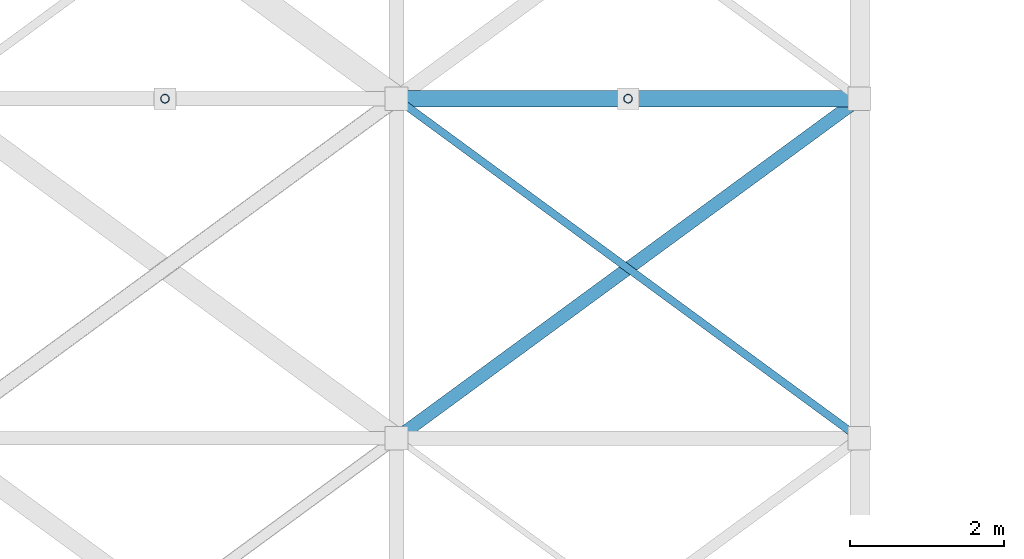
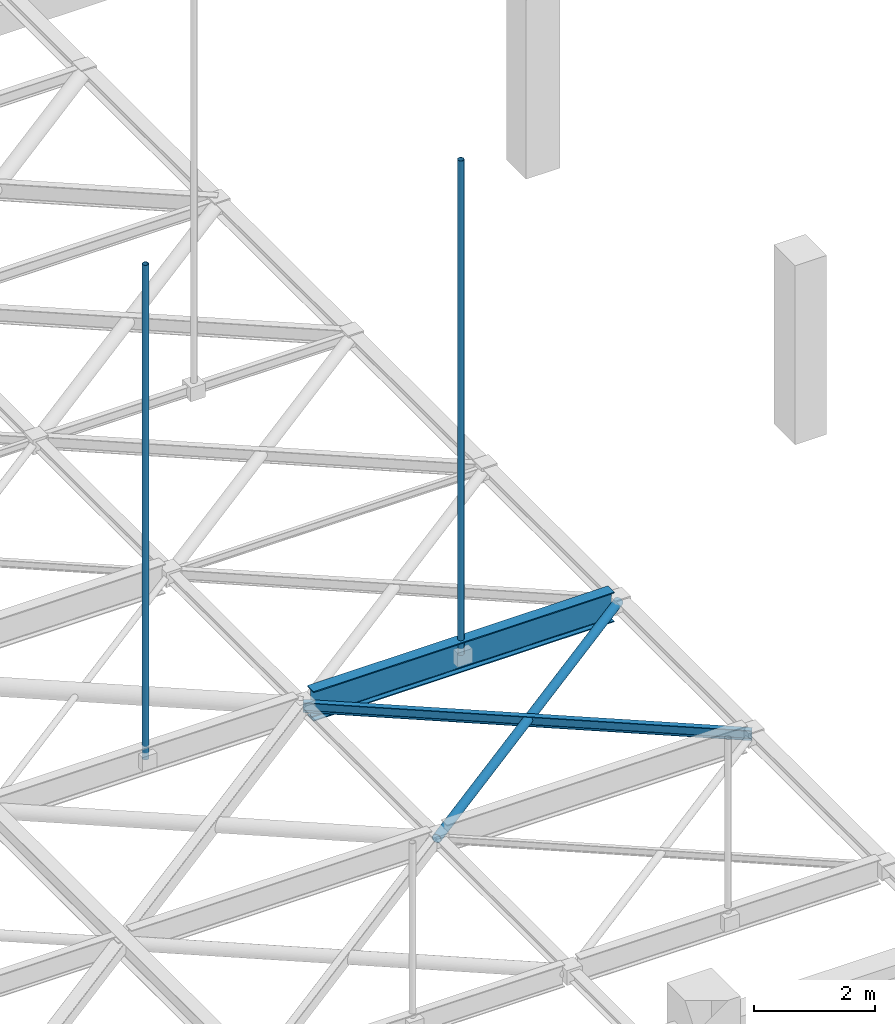
# One storey, part 39 of 93: 4 members, 1 beam.
"""IFC4 building model written with IfcOpenShell, lengths in metres."""

from ifc_helpers import new_model, si_unit, direction, frame, origin, origin_2d, place, context, subcontext, project, spatial, hollow_circle, i_section, extrude, material, material_profile, profile_set, type_object, element, save


model = new_model("IFC4")

# Units and contexts
model_context = context("Model", 3, precision=1e-05, world=origin(), true_north=direction((0.0, 1.0)))
body_context = subcontext(model_context, "Body", "Model", "MODEL_VIEW")
ifc_project = project(units=[si_unit("LENGTHUNIT", "METRE"), si_unit("AREAUNIT", "SQUARE_METRE"), si_unit("VOLUMEUNIT", "CUBIC_METRE"), si_unit("PLANEANGLEUNIT", "RADIAN"), si_unit("MASSUNIT", "GRAM", prefix="KILO")], contexts=[model_context])

# Site, building, storey
site_placement = place(None, origin())
site = spatial("IfcSite", under=ifc_project, at=site_placement, CompositionType="ELEMENT")
building_placement = place(site_placement, origin())
building = spatial("IfcBuilding", under=site, at=building_placement, Name="Varnakota Cinema and Media Centre", CompositionType="ELEMENT")
storey_placement = place(building_placement, frame((0.0, 0.0, 12.0)))
storey = spatial("IfcBuildingStorey", under=building, at=storey_placement, Name="L03", CompositionType="ELEMENT", Elevation=12.0)

# Beam
ifc_material_1 = material(Name="Structural steel Grade 350 (E350)", Category="steel")
ifc_material_profile_1 = material_profile(ifc_material_1, i_section(OverallWidth=0.2099609375, OverallDepth=0.60009765625, WebThickness=0.011962890625, FlangeThickness=0.020751953125, FilletRadius=0.02001953125, at=origin_2d()), Name="ISMB 600")
ifc_profile_set_1 = profile_set([ifc_material_profile_1], Name="Structural steel Grade 350 (E350)")
beam_type = type_object("IfcBeamType", Name="BM-ST-ISMB600", PredefinedType="BEAM", material=ifc_profile_set_1)
beam_placement = place(storey_placement, frame((123.139892578125, 13.199951171875, 1.300048828125), z_axis=(1.0, 0.0, 0.0), x_axis=(0.0, 1.0, 0.0)))
element("IfcBeam", 1, at=beam_placement, inside=storey, type_object=beam_type, Name="V1 rigging beam 9.3", PredefinedType="BEAM", context=body_context, shape_type="SweptSolid", body=[
    extrude(i_section(OverallWidth=0.2099609375, OverallDepth=0.60009765625, WebThickness=0.011962890625, FlangeThickness=0.020751953125, FilletRadius=0.02001953125, at=origin_2d()), origin(), (0.0, 0.0, 1.0), 5.72021484375),
])

# Members
ifc_material_2 = material(Name="Structural steel S355 (YSt 355)", Category="steel")
ifc_material_profile_2 = material_profile(ifc_material_2, hollow_circle(Radius=0.05712890625, WallThickness=0.00537109375, at=origin_2d()), Name="CHS 114.3x5.4")
ifc_profile_set_2 = profile_set([ifc_material_profile_2], Name="Structural steel S355 (YSt 355)")
member_type_1 = type_object("IfcMemberType", Name="MEM-ST-CHS114_3x5_4", PredefinedType="BRACE", material=ifc_profile_set_2)
for number, where, z_axis, x_axis, name in (
    (2, (120.0, 13.199951171875, 1.300048828125), (0.0, 0.0, 1.0), (1.0, 0.0, 0.0), "V1 rigging hanger 8.2"),
    (3, (126.0, 13.199951171875, 1.300048828125), (0.0, 0.0, 1.0), (1.0, 0.0, 0.0), "V1 rigging hanger 9.2"),
):
    element("IfcMember", number, at=place(storey_placement, frame(where, z_axis=z_axis, x_axis=x_axis)), inside=storey, type_object=member_type_1, Name=name, PredefinedType="BRACE", context=body_context, shape_type="SweptSolid", body=[
        extrude(hollow_circle(Radius=0.05712890625, WallThickness=0.00537109375, at=origin_2d()), origin(), (0.0, 0.0, 1.0), 9.949951171875),
    ])
ifc_material_3 = material(Name="Structural steel S355 (YSt 355)", Category="steel")
ifc_material_profile_3 = material_profile(ifc_material_3, hollow_circle(Radius=0.084228515625, WallThickness=0.00634765625, at=origin_2d()), Name="CHS 168.3x6.3")
ifc_profile_set_3 = profile_set([ifc_material_profile_3], Name="Structural steel S355 (YSt 355)")
member_type_2 = type_object("IfcMemberType", Name="MEM-ST-CHS168_3x6_3", PredefinedType="BRACE", material=ifc_profile_set_3)
member_1_placement = place(storey_placement, frame((123.0, 8.800048828125, 1.300048828125), z_axis=(0.80641125493, 0.591355128432, 0.0), x_axis=(-0.591355128432, 0.80641125493, 0.0)))
element("IfcMember", 4, at=member_1_placement, inside=storey, type_object=member_type_2, Name="V1 rigging plan member A 9.2", PredefinedType="BRACE", context=body_context, shape_type="SweptSolid", body=[
    extrude(hollow_circle(Radius=0.084228515625, WallThickness=0.00634765625, at=origin_2d()), origin(), (0.0, 0.0, 1.0), 7.4404296875),
])
ifc_material_4 = material(Name="Structural steel Grade 350 (E350)", Category="steel")
ifc_material_profile_4 = material_profile(ifc_material_4, i_section(OverallWidth=0.10009765625, OverallDepth=0.199951171875, WebThickness=0.005615234375, FlangeThickness=0.0107421875, FilletRadius=0.010986328125, at=origin_2d()), Name="ISMB 200")
ifc_profile_set_4 = profile_set([ifc_material_profile_4], Name="Structural steel Grade 350 (E350)")
member_type_3 = type_object("IfcMemberType", Name="MEM-ST-ISMB200", PredefinedType="RAFTER", material=ifc_profile_set_4)
member_2_placement = place(storey_placement, frame((129.0, 8.800048828125, 1.300048828125), z_axis=(-0.80641125493, 0.591355128432, 0.0), x_axis=(-0.591355128432, -0.80641125493, 0.0)))
element("IfcMember", 5, at=member_2_placement, inside=storey, type_object=member_type_3, Name="V1 rigging plan member B 9.2", PredefinedType="RAFTER", context=body_context, shape_type="SweptSolid", body=[
    extrude(i_section(OverallWidth=0.10009765625, OverallDepth=0.199951171875, WebThickness=0.005615234375, FlangeThickness=0.0107421875, FilletRadius=0.010986328125, at=origin_2d()), origin(), (0.0, 0.0, 1.0), 7.4404296875),
])

save(model, "model.ifc")
